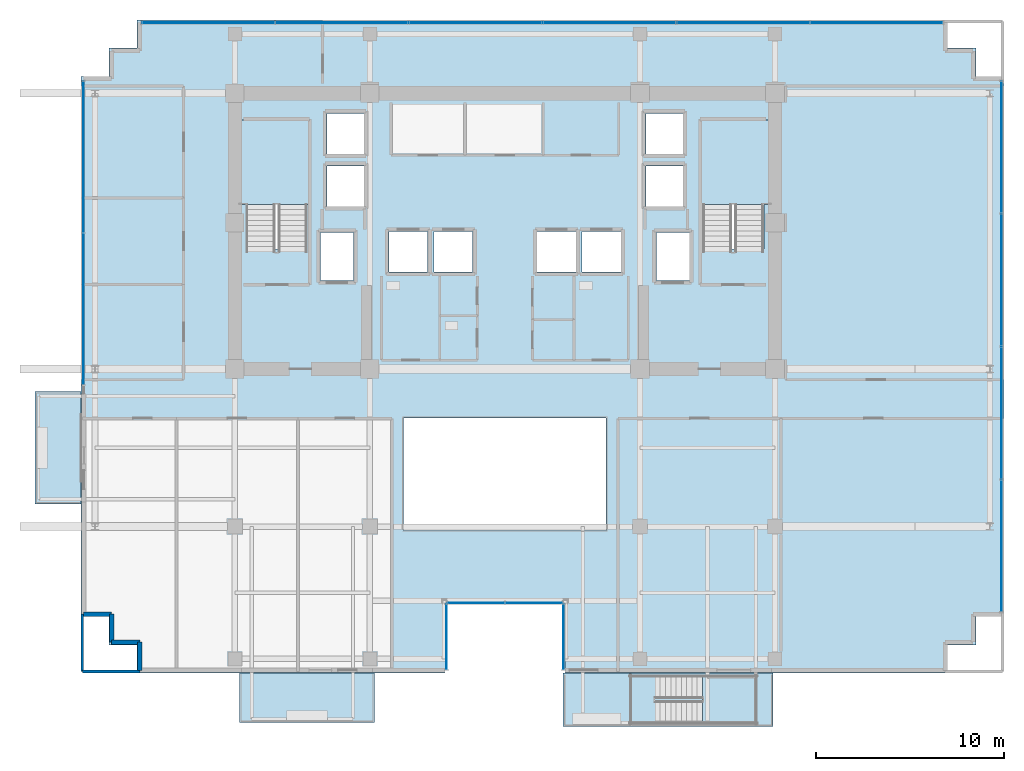
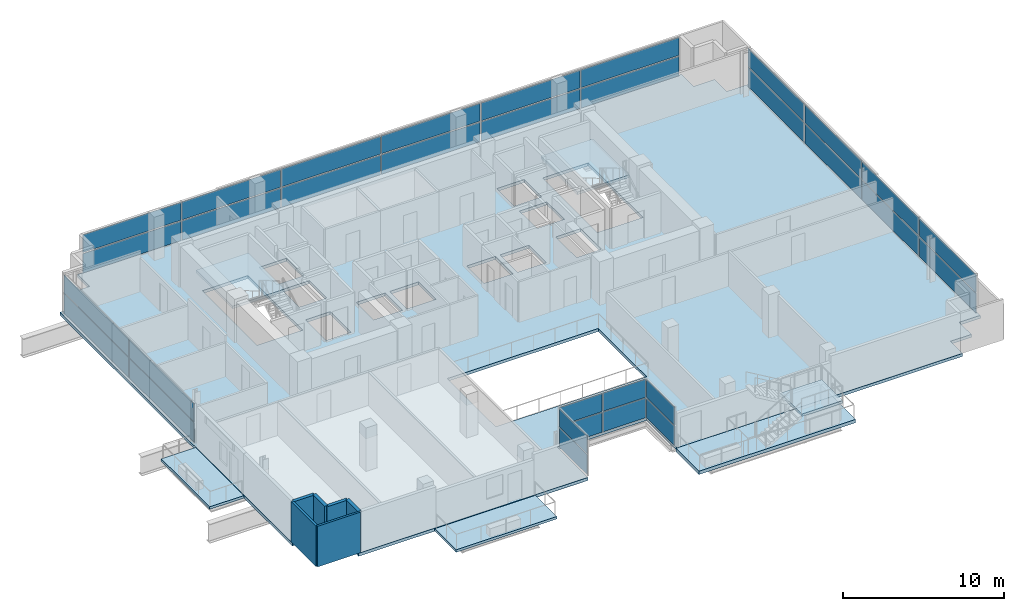
# One storey, part 15 of 23: 32 plates, 7 slabs, 6 walls, 9 elements without a shape of their own.
"""IFC4 building model written with IfcOpenShell, lengths in metres."""

from ifc_helpers import new_model, si_unit, direction, frame, frame_2d, origin, origin_2d, place, context, subcontext, project, spatial, polyline, rectangle, outline, extrude, source, transform, mapped, material, layer, layer_set, type_object, element, aggregate, save


model = new_model("IFC4")

# Units and contexts
model_context = context("Model", 3, precision=1e-05, world=origin(), true_north=direction((0.0, 1.0)))
body_context = subcontext(model_context, "Body", "Model", "MODEL_VIEW")
ifc_project = project(units=[si_unit("LENGTHUNIT", "METRE"), si_unit("AREAUNIT", "SQUARE_METRE"), si_unit("VOLUMEUNIT", "CUBIC_METRE"), si_unit("PLANEANGLEUNIT", "RADIAN"), si_unit("MASSUNIT", "GRAM", prefix="KILO")], contexts=[model_context])

# Site, building, storey
site_placement = place(None, origin())
site = spatial("IfcSite", under=ifc_project, at=site_placement, CompositionType="ELEMENT")
building_placement = place(site_placement, origin())
building = spatial("IfcBuilding", under=site, at=building_placement, Name="Zarnakvel Exchange Tower", CompositionType="ELEMENT")
storey_placement = place(building_placement, frame((0.0, 0.0, 172.60009765625)))
storey = spatial("IfcBuildingStorey", under=building, at=storey_placement, Name="L48", CompositionType="ELEMENT", Elevation=172.60009765625)

# Stair, slab
ifc_material_1 = material(Name="Concrete C40/50", Category="concrete")
stair_type_1 = type_object("IfcStairType", Name="STR-01", PredefinedType="HALF_TURN_STAIR", material=ifc_material_1)
stair_1_placement = place(storey_placement, origin())
stair_1 = element("IfcStair", 1, at=stair_1_placement, inside=storey, type_object=stair_type_1, Name="L48 Protected Core Exit Stair ST-01", PredefinedType="HALF_TURN_STAIR")
ifc_layer_1 = layer(ifc_material_1, 0.199951171875)
ifc_layer_set_1 = layer_set([ifc_layer_1], Name="Concrete C40/50")
slab_type_1 = type_object("IfcSlabType", Name="LDG-01", PredefinedType="LANDING", material=ifc_layer_set_1)
slab_1_placement = place(storey_placement, frame((0.0, 0.0, 1.449951171875)))
slab_1 = element("IfcSlab", 2, at=slab_1_placement, type_object=slab_type_1, Name="ST-01 landing 1", PredefinedType="LANDING", context=body_context, shape_type="SweptSolid", body=[
    extrude(outline(polyline([(-14.18994140625, 7.570068359375), (-10.4599609375, 7.570068359375), (-10.4599609375, 12.080078125), (-14.18994140625, 12.080078125), (-14.18994140625, 7.570068359375)])), origin(), (0.0, 0.0, 1.0), 0.199951171875),
])
aggregate(stair_1, [slab_1])

stair_2_placement = place(storey_placement, origin())
stair_2 = element("IfcStair", 3, at=stair_2_placement, inside=storey, type_object=stair_type_1, Name="L48 Protected Core Exit Stair ST-02", PredefinedType="HALF_TURN_STAIR")
slab_2_placement = place(storey_placement, frame((0.0, 0.0, 1.449951171875)))
slab_2 = element("IfcSlab", 4, at=slab_2_placement, type_object=slab_type_1, Name="ST-02 landing 1", PredefinedType="LANDING", context=body_context, shape_type="SweptSolid", body=[
    extrude(outline(polyline([(10.4599609375, 7.570068359375), (14.18994140625, 7.570068359375), (14.18994140625, 12.080078125), (10.4599609375, 12.080078125), (10.4599609375, 7.570068359375)])), origin(), (0.0, 0.0, 1.0), 0.199951171875),
])
aggregate(stair_2, [slab_2])

stair_type_2 = type_object("IfcStairType", Name="STR-05", PredefinedType="HALF_TURN_STAIR", material=ifc_material_1)
stair_3_placement = place(storey_placement, origin())
stair_3 = element("IfcStair", 5, at=stair_3_placement, inside=storey, type_object=stair_type_2, Name="L48 Spiral Sky-Terrace Connecting Stair ST-12", PredefinedType="HALF_TURN_STAIR")
slab_3_placement = place(storey_placement, frame((0.0, 0.0, 1.449951171875)))
slab_3 = element("IfcSlab", 6, at=slab_3_placement, type_object=slab_type_1, Name="ST-12 landing 1", PredefinedType="LANDING", context=body_context, shape_type="SweptSolid", body=[
    extrude(outline(polyline([(10.52001953125, -20.139892578125), (13.449951171875, -20.139892578125), (13.449951171875, -17.52001953125), (10.52001953125, -17.52001953125), (10.52001953125, -20.139892578125)])), origin(), (0.0, 0.0, 1.0), 0.199951171875),
])
aggregate(stair_3, [slab_3])

# Slabs
ifc_layer_2 = layer(ifc_material_1, 0.22509765625)
ifc_layer_set_2 = layer_set([ifc_layer_2], Name="Concrete C40/50")
slab_type_2 = type_object("IfcSlabType", Name="SL-04", PredefinedType="FLOOR", material=ifc_layer_set_2)
slab_4_placement = place(storey_placement, frame((0.0, 0.0, -0.22509765625)))
element("IfcSlab", 7, at=slab_4_placement, inside=storey, type_object=slab_type_2, Name="L48 Primary Structural Floor Slab", PredefinedType="FLOOR", context=body_context, shape_type="SweptSolid", body=[
    extrude(outline(polyline([(-22.60009765625, -14.39990234375), (-21.10009765625, -14.39990234375), (-21.10009765625, -15.89990234375), (-19.60009765625, -15.89990234375), (-19.60009765625, -17.39990234375), (-3.199951171875, -17.39990234375), (-3.199951171875, -13.60009765625), (3.199951171875, -13.60009765625), (3.199951171875, -17.39990234375), (23.60009765625, -17.39990234375), (23.60009765625, -15.89990234375), (25.10009765625, -15.89990234375), (25.10009765625, -14.39990234375), (26.60009765625, -14.39990234375), (26.60009765625, 14.39990234375), (25.10009765625, 14.39990234375), (25.10009765625, 15.89990234375), (23.60009765625, 15.89990234375), (23.60009765625, 17.39990234375), (-19.60009765625, 17.39990234375), (-19.60009765625, 15.89990234375), (-21.10009765625, 15.89990234375), (-21.10009765625, 14.39990234375), (-22.60009765625, 14.39990234375), (-22.60009765625, -14.39990234375)]), holes=[polyline([(-5.39990234375, -9.800048828125), (5.39990234375, -9.800048828125), (5.39990234375, -3.800048828125), (-5.39990234375, -3.800048828125), (-5.39990234375, -9.800048828125)]), polyline([(-13.800048828125, 5.2099609375), (-10.5400390625, 5.2099609375), (-10.5400390625, 12.0), (-13.800048828125, 12.0), (-13.800048828125, 5.2099609375)]), polyline([(10.5400390625, 5.2099609375), (13.800048828125, 5.2099609375), (13.800048828125, 12.0), (10.5400390625, 12.0), (10.5400390625, 5.2099609375)]), polyline([(-9.830078125, 3.52001953125), (-8.070068359375, 3.52001953125), (-8.070068359375, 6.080078125), (-9.830078125, 6.080078125), (-9.830078125, 3.52001953125)]), polyline([(8.070068359375, 3.52001953125), (9.830078125, 3.52001953125), (9.830078125, 6.080078125), (8.070068359375, 6.080078125), (8.070068359375, 3.52001953125)]), polyline([(-6.179931640625, 3.969970703125), (-4.1201171875, 3.969970703125), (-4.1201171875, 6.1298828125), (-6.179931640625, 6.1298828125), (-6.179931640625, 3.969970703125)]), polyline([(-3.780029296875, 3.969970703125), (-1.719970703125, 3.969970703125), (-1.719970703125, 6.1298828125), (-3.780029296875, 6.1298828125), (-3.780029296875, 3.969970703125)]), polyline([(1.719970703125, 3.969970703125), (3.780029296875, 3.969970703125), (3.780029296875, 6.1298828125), (1.719970703125, 6.1298828125), (1.719970703125, 3.969970703125)]), polyline([(4.1201171875, 3.969970703125), (6.179931640625, 3.969970703125), (6.179931640625, 6.1298828125), (4.1201171875, 6.1298828125), (4.1201171875, 3.969970703125)]), polyline([(-9.47998046875, 7.469970703125), (-7.52001953125, 7.469970703125), (-7.52001953125, 9.6298828125), (-9.47998046875, 9.6298828125), (-9.47998046875, 7.469970703125)]), polyline([(-9.47998046875, 10.27001953125), (-7.52001953125, 10.27001953125), (-7.52001953125, 12.429931640625), (-9.47998046875, 12.429931640625), (-9.47998046875, 10.27001953125)]), polyline([(7.52001953125, 7.469970703125), (9.47998046875, 7.469970703125), (9.47998046875, 9.6298828125), (7.52001953125, 9.6298828125), (7.52001953125, 7.469970703125)]), polyline([(7.52001953125, 10.27001953125), (9.47998046875, 10.27001953125), (9.47998046875, 12.429931640625), (7.52001953125, 12.429931640625), (7.52001953125, 10.27001953125)])]), origin(), (0.0, 0.0, 1.0), 0.22509765625),
])
ifc_layer_3 = layer(ifc_material_1, 0.25)
ifc_layer_set_3 = layer_set([ifc_layer_3], Name="Concrete C40/50")
slab_type_3 = type_object("IfcSlabType", Name="SL-07", PredefinedType="ROOF", material=ifc_layer_set_3)
slab_5_placement = place(storey_placement, frame((0.0, 0.0, -0.25)))
element("IfcSlab", 8, at=slab_5_placement, inside=storey, type_object=slab_type_3, Name="L48 Spiral Sky-Terrace Outdoor Slab (SE)", PredefinedType="ROOF", context=body_context, shape_type="SweptSolid", body=[
    extrude(outline(polyline([(3.10009765625, -20.260009765625), (14.300048828125, -20.260009765625), (14.300048828125, -17.39990234375), (3.10009765625, -17.39990234375), (3.10009765625, -20.260009765625)])), origin(), (0.0, 0.0, 1.0), 0.25),
])
ifc_layer_4 = layer(ifc_material_1, 0.18994140625)
ifc_layer_set_4 = layer_set([ifc_layer_4], Name="Concrete C40/50")
slab_type_4 = type_object("IfcSlabType", Name="SL-08", PredefinedType="USERDEFINED", material=ifc_layer_set_4)
slab_6_placement = place(storey_placement, frame((0.0, 0.0, -0.22509765625)))
element("IfcSlab", 9, at=slab_6_placement, inside=storey, type_object=slab_type_4, Name="L48 Planted Loggia Balcony Slab BAL-L48-SW", ObjectType="BALCONY", PredefinedType="USERDEFINED", context=body_context, shape_type="SweptSolid", body=[
    extrude(outline(polyline([(-14.14990234375, -20.050048828125), (-6.949951171875, -20.050048828125), (-6.949951171875, -17.39990234375), (-14.14990234375, -17.39990234375), (-14.14990234375, -20.050048828125)])), origin(), (0.0, 0.0, 1.0), 0.18994140625),
])
slab_7_placement = place(storey_placement, frame((0.0, 0.0, -0.22509765625)))
element("IfcSlab", 10, at=slab_7_placement, inside=storey, type_object=slab_type_4, Name="L48 Planted Loggia Balcony Slab BAL-L48-W", ObjectType="BALCONY", PredefinedType="USERDEFINED", context=body_context, shape_type="SweptSolid", body=[
    extrude(outline(polyline([(-25.050048828125, -8.39990234375), (-22.60009765625, -8.39990234375), (-22.60009765625, -2.39990234375), (-25.050048828125, -2.39990234375), (-25.050048828125, -8.39990234375)])), origin(), (0.0, 0.0, 1.0), 0.18994140625),
])

# Curtain wall, plate
ifc_material_2 = material(Name="Architectural Bronze Anodised Aluminium", Category="aluminium")
ifc_layer_5 = layer(ifc_material_2, 0.179931640625)
ifc_layer_set_5 = layer_set([ifc_layer_5], Name="Architectural Bronze Anodised Aluminium")
curtain_wall_type_1 = type_object("IfcCurtainWallType", Name="CW-05", PredefinedType="NOTDEFINED", material=ifc_layer_set_5)
curtain_wall_1_placement = place(storey_placement, origin())
curtain_wall_1 = element("IfcCurtainWall", 11, at=curtain_wall_1_placement, inside=storey, type_object=curtain_wall_type_1, Name="L48 Curtain Wall CW-L48-SLW (CW-05)", PredefinedType="NOTDEFINED")
ifc_material_3 = material(Name="Double Low-E Laminated Vision Glass", Category="glass")
ifc_layer_6 = layer(ifc_material_3, 0.02587890625)
ifc_layer_set_6 = layer_set([ifc_layer_6], Name="Double Low-E Laminated Vision Glass")
plate_type_1 = type_object("IfcPlateType", Name="CWP-05", PredefinedType="CURTAIN_PANEL", material=ifc_layer_set_6)
shared_shape_1 = source(origin(), body_context, "Body", "SweptSolid", [
    extrude(rectangle(XDim=3.4599609375, YDim=0.02587890625, at=origin_2d()), origin(), (0.0, 0.0, 1.0), 1.483642578125),
])
plate_1_placement = place(storey_placement, frame((-3.1201171875, -15.47998046875, 0.06982421875), z_axis=(0.0, 0.0, 1.0), x_axis=(0.0, 1.0, 0.0)))
plate_1 = element("IfcPlate", 12, at=plate_1_placement, type_object=plate_type_1, Name="CW-05 panel 1.1", PredefinedType="CURTAIN_PANEL", context=body_context, shape_type="MappedRepresentation", body=[
    mapped(shared_shape_1, transform((0.0, 0.0, 0.0), x_axis=(1.0, 0.0, 0.0), y_axis=(0.0, 1.0, 0.0), z_axis=(0.0, 0.0, 1.0), scale=1.0)),
])

curtain_wall_2_placement = place(storey_placement, origin())
curtain_wall_2 = element("IfcCurtainWall", 13, at=curtain_wall_2_placement, inside=storey, type_object=curtain_wall_type_1, Name="L48 Curtain Wall CW-L48-SLE (CW-05)", PredefinedType="NOTDEFINED")
plate_2_placement = place(storey_placement, frame((3.1201171875, -15.47998046875, 0.06982421875), z_axis=(0.0, 0.0, 1.0), x_axis=(0.0, -1.0, 0.0)))
plate_2 = element("IfcPlate", 14, at=plate_2_placement, type_object=plate_type_1, Name="CW-05 panel 1.1", PredefinedType="CURTAIN_PANEL", context=body_context, shape_type="MappedRepresentation", body=[
    mapped(shared_shape_1, transform((0.0, 0.0, 0.0), x_axis=(1.0, 0.0, 0.0), y_axis=(0.0, 1.0, 0.0), z_axis=(0.0, 0.0, 1.0), scale=1.0)),
])

# Plate
shared_shape_2 = source(origin(), body_context, "Body", "SweptSolid", [
    extrude(rectangle(XDim=3.4599609375, YDim=0.02587890625, at=origin_2d()), origin(), (0.0, 0.0, 1.0), 1.361328125),
])
plate_3_placement = place(storey_placement, frame((-3.1201171875, -15.47998046875, 1.62353515625), z_axis=(0.0, 0.0, 1.0), x_axis=(0.0, 1.0, 0.0)))
plate_3 = element("IfcPlate", 15, at=plate_3_placement, type_object=plate_type_1, Name="CW-05 panel 1.2", PredefinedType="CURTAIN_PANEL", context=body_context, shape_type="MappedRepresentation", body=[
    mapped(shared_shape_2, transform((0.0, 0.0, 0.0), x_axis=(1.0, 0.0, 0.0), y_axis=(0.0, 1.0, 0.0), z_axis=(0.0, 0.0, 1.0), scale=1.0)),
])

aggregate(curtain_wall_1, [plate_1, plate_3])

plate_4_placement = place(storey_placement, frame((3.1201171875, -15.47998046875, 1.62353515625), z_axis=(0.0, 0.0, 1.0), x_axis=(0.0, -1.0, 0.0)))
plate_4 = element("IfcPlate", 16, at=plate_4_placement, type_object=plate_type_1, Name="CW-05 panel 1.2", PredefinedType="CURTAIN_PANEL", context=body_context, shape_type="MappedRepresentation", body=[
    mapped(shared_shape_2, transform((0.0, 0.0, 0.0), x_axis=(1.0, 0.0, 0.0), y_axis=(0.0, 1.0, 0.0), z_axis=(0.0, 0.0, 1.0), scale=1.0)),
])

aggregate(curtain_wall_2, [plate_2, plate_4])

# Curtain wall, plates
curtain_wall_3_placement = place(storey_placement, origin())
curtain_wall_3 = element("IfcCurtainWall", 17, at=curtain_wall_3_placement, inside=storey, type_object=curtain_wall_type_1, Name="L48 Curtain Wall CW-L48-SLB (CW-05)", PredefinedType="NOTDEFINED")
shared_shape_3 = source(origin(), body_context, "Body", "SweptSolid", [
    extrude(rectangle(XDim=3.014892578125, YDim=0.02587890625, at=origin_2d()), origin(), (0.0, 0.0, 1.0), 1.483642578125),
])
plate_5_placement = place(storey_placement, frame((-1.54248046875, -13.679931640625, 0.06982421875), z_axis=(0.0, 0.0, 1.0), x_axis=(1.0, 0.0, 0.0)))
plate_5 = element("IfcPlate", 18, at=plate_5_placement, type_object=plate_type_1, Name="CW-05 panel 1.1", PredefinedType="CURTAIN_PANEL", context=body_context, shape_type="MappedRepresentation", body=[
    mapped(shared_shape_3, transform((0.0, 0.0, 0.0), x_axis=(1.0, 0.0, 0.0), y_axis=(0.0, 1.0, 0.0), z_axis=(0.0, 0.0, 1.0), scale=1.0)),
])
plate_6_placement = place(storey_placement, frame((1.54248046875, -13.679931640625, 0.06982421875), z_axis=(0.0, 0.0, 1.0), x_axis=(1.0, 0.0, 0.0)))
plate_6 = element("IfcPlate", 19, at=plate_6_placement, type_object=plate_type_1, Name="CW-05 panel 2.1", PredefinedType="CURTAIN_PANEL", context=body_context, shape_type="MappedRepresentation", body=[
    mapped(shared_shape_3, transform((0.0, 0.0, 0.0), x_axis=(1.0, 0.0, 0.0), y_axis=(0.0, 1.0, 0.0), z_axis=(0.0, 0.0, 1.0), scale=1.0)),
])
shared_shape_4 = source(origin(), body_context, "Body", "SweptSolid", [
    extrude(rectangle(XDim=3.014892578125, YDim=0.02587890625, at=origin_2d()), origin(), (0.0, 0.0, 1.0), 1.361328125),
])
plate_7_placement = place(storey_placement, frame((-1.54248046875, -13.679931640625, 1.62353515625), z_axis=(0.0, 0.0, 1.0), x_axis=(1.0, 0.0, 0.0)))
plate_7 = element("IfcPlate", 20, at=plate_7_placement, type_object=plate_type_1, Name="CW-05 panel 1.2", PredefinedType="CURTAIN_PANEL", context=body_context, shape_type="MappedRepresentation", body=[
    mapped(shared_shape_4, transform((0.0, 0.0, 0.0), x_axis=(1.0, 0.0, 0.0), y_axis=(0.0, 1.0, 0.0), z_axis=(0.0, 0.0, 1.0), scale=1.0)),
])
plate_8_placement = place(storey_placement, frame((1.54248046875, -13.679931640625, 1.62353515625), z_axis=(0.0, 0.0, 1.0), x_axis=(1.0, 0.0, 0.0)))
plate_8 = element("IfcPlate", 21, at=plate_8_placement, type_object=plate_type_1, Name="CW-05 panel 2.2", PredefinedType="CURTAIN_PANEL", context=body_context, shape_type="MappedRepresentation", body=[
    mapped(shared_shape_4, transform((0.0, 0.0, 0.0), x_axis=(1.0, 0.0, 0.0), y_axis=(0.0, 1.0, 0.0), z_axis=(0.0, 0.0, 1.0), scale=1.0)),
])
aggregate(curtain_wall_3, [plate_5, plate_7, plate_6, plate_8])

ifc_layer_7 = layer(ifc_material_2, 0.219970703125)
ifc_layer_set_7 = layer_set([ifc_layer_7], Name="Architectural Bronze Anodised Aluminium")
curtain_wall_type_2 = type_object("IfcCurtainWallType", Name="CW-03", PredefinedType="NOTDEFINED", material=ifc_layer_set_7)
curtain_wall_4_placement = place(storey_placement, origin())
curtain_wall_4 = element("IfcCurtainWall", 22, at=curtain_wall_4_placement, inside=storey, type_object=curtain_wall_type_2, Name="L48 Curtain Wall CW-L48-N1 (CW-03)", PredefinedType="NOTDEFINED")
ifc_layer_8 = layer(ifc_material_3, 0.030029296875)
ifc_layer_set_8 = layer_set([ifc_layer_8], Name="Double Low-E Laminated Vision Glass")
plate_type_2 = type_object("IfcPlateType", Name="CWP-03", PredefinedType="CURTAIN_PANEL", material=ifc_layer_set_8)
shared_shape_5 = source(origin(), body_context, "Body", "SweptSolid", [
    extrude(rectangle(XDim=7.013427734375, YDim=0.030029296875, at=origin_2d()), origin(), (0.0, 0.0, 1.0), 1.468505859375),
])
plate_9_placement = place(storey_placement, frame((-15.813232421875, 17.260009765625, 0.080078125), z_axis=(0.0, 0.0, 1.0), x_axis=(1.0, 0.0, 0.0)))
plate_9 = element("IfcPlate", 23, at=plate_9_placement, type_object=plate_type_2, Name="CW-03 panel 1.1", PredefinedType="CURTAIN_PANEL", context=body_context, shape_type="MappedRepresentation", body=[
    mapped(shared_shape_5, transform((0.0, 0.0, 0.0), x_axis=(1.0, 0.0, 0.0), y_axis=(0.0, 1.0, 0.0), z_axis=(0.0, 0.0, 1.0), scale=1.0)),
])
plate_10_placement = place(storey_placement, frame((19.813232421875, 17.260009765625, 0.080078125), z_axis=(0.0, 0.0, 1.0), x_axis=(1.0, 0.0, 0.0)))
plate_10 = element("IfcPlate", 24, at=plate_10_placement, type_object=plate_type_2, Name="CW-03 panel 6.1", PredefinedType="CURTAIN_PANEL", context=body_context, shape_type="MappedRepresentation", body=[
    mapped(shared_shape_5, transform((0.0, 0.0, 0.0), x_axis=(1.0, 0.0, 0.0), y_axis=(0.0, 1.0, 0.0), z_axis=(0.0, 0.0, 1.0), scale=1.0)),
])
shared_shape_6 = source(origin(), body_context, "Body", "SweptSolid", [
    extrude(rectangle(XDim=7.013427734375, YDim=0.030029296875, at=origin_2d()), origin(), (0.0, 0.0, 1.0), 1.346435546875),
])
plate_11_placement = place(storey_placement, frame((-15.813232421875, 17.260009765625, 1.62841796875), z_axis=(0.0, 0.0, 1.0), x_axis=(1.0, 0.0, 0.0)))
plate_11 = element("IfcPlate", 25, at=plate_11_placement, type_object=plate_type_2, Name="CW-03 panel 1.2", PredefinedType="CURTAIN_PANEL", context=body_context, shape_type="MappedRepresentation", body=[
    mapped(shared_shape_6, transform((0.0, 0.0, 0.0), x_axis=(1.0, 0.0, 0.0), y_axis=(0.0, 1.0, 0.0), z_axis=(0.0, 0.0, 1.0), scale=1.0)),
])
plate_12_placement = place(storey_placement, frame((19.813232421875, 17.260009765625, 1.62841796875), z_axis=(0.0, 0.0, 1.0), x_axis=(1.0, 0.0, 0.0)))
plate_12 = element("IfcPlate", 26, at=plate_12_placement, type_object=plate_type_2, Name="CW-03 panel 6.2", PredefinedType="CURTAIN_PANEL", context=body_context, shape_type="MappedRepresentation", body=[
    mapped(shared_shape_6, transform((0.0, 0.0, 0.0), x_axis=(1.0, 0.0, 0.0), y_axis=(0.0, 1.0, 0.0), z_axis=(0.0, 0.0, 1.0), scale=1.0)),
])
shared_shape_7 = source(origin(), body_context, "Body", "SweptSolid", [
    extrude(rectangle(XDim=7.05322265625, YDim=0.030029296875, at=origin_2d()), origin(), (0.0, 0.0, 1.0), 1.468505859375),
])
plate_13_placement = place(storey_placement, frame((-8.699951171875, 17.260009765625, 0.080078125), z_axis=(0.0, 0.0, 1.0), x_axis=(1.0, 0.0, 0.0)))
plate_13 = element("IfcPlate", 27, at=plate_13_placement, type_object=plate_type_2, Name="CW-03 panel 2.1", PredefinedType="CURTAIN_PANEL", context=body_context, shape_type="MappedRepresentation", body=[
    mapped(shared_shape_7, transform((0.0, 0.0, 0.0), x_axis=(1.0, 0.0, 0.0), y_axis=(0.0, 1.0, 0.0), z_axis=(0.0, 0.0, 1.0), scale=1.0)),
])
plate_14_placement = place(storey_placement, frame((-1.566650390625, 17.260009765625, 0.080078125), z_axis=(0.0, 0.0, 1.0), x_axis=(1.0, 0.0, 0.0)))
plate_14 = element("IfcPlate", 28, at=plate_14_placement, type_object=plate_type_2, Name="CW-03 panel 3.1", PredefinedType="CURTAIN_PANEL", context=body_context, shape_type="MappedRepresentation", body=[
    mapped(shared_shape_7, transform((0.0, 0.0, 0.0), x_axis=(1.0, 0.0, 0.0), y_axis=(0.0, 1.0, 0.0), z_axis=(0.0, 0.0, 1.0), scale=1.0)),
])
plate_15_placement = place(storey_placement, frame((5.566650390625, 17.260009765625, 0.080078125), z_axis=(0.0, 0.0, 1.0), x_axis=(1.0, 0.0, 0.0)))
plate_15 = element("IfcPlate", 29, at=plate_15_placement, type_object=plate_type_2, Name="CW-03 panel 4.1", PredefinedType="CURTAIN_PANEL", context=body_context, shape_type="MappedRepresentation", body=[
    mapped(shared_shape_7, transform((0.0, 0.0, 0.0), x_axis=(1.0, 0.0, 0.0), y_axis=(0.0, 1.0, 0.0), z_axis=(0.0, 0.0, 1.0), scale=1.0)),
])
plate_16_placement = place(storey_placement, frame((12.699951171875, 17.260009765625, 0.080078125), z_axis=(0.0, 0.0, 1.0), x_axis=(1.0, 0.0, 0.0)))
plate_16 = element("IfcPlate", 30, at=plate_16_placement, type_object=plate_type_2, Name="CW-03 panel 5.1", PredefinedType="CURTAIN_PANEL", context=body_context, shape_type="MappedRepresentation", body=[
    mapped(shared_shape_7, transform((0.0, 0.0, 0.0), x_axis=(1.0, 0.0, 0.0), y_axis=(0.0, 1.0, 0.0), z_axis=(0.0, 0.0, 1.0), scale=1.0)),
])
shared_shape_8 = source(origin(), body_context, "Body", "SweptSolid", [
    extrude(rectangle(XDim=7.05322265625, YDim=0.030029296875, at=origin_2d()), origin(), (0.0, 0.0, 1.0), 1.346435546875),
])
plate_17_placement = place(storey_placement, frame((-8.699951171875, 17.260009765625, 1.62841796875), z_axis=(0.0, 0.0, 1.0), x_axis=(1.0, 0.0, 0.0)))
plate_17 = element("IfcPlate", 31, at=plate_17_placement, type_object=plate_type_2, Name="CW-03 panel 2.2", PredefinedType="CURTAIN_PANEL", context=body_context, shape_type="MappedRepresentation", body=[
    mapped(shared_shape_8, transform((0.0, 0.0, 0.0), x_axis=(1.0, 0.0, 0.0), y_axis=(0.0, 1.0, 0.0), z_axis=(0.0, 0.0, 1.0), scale=1.0)),
])
plate_18_placement = place(storey_placement, frame((-1.566650390625, 17.260009765625, 1.62841796875), z_axis=(0.0, 0.0, 1.0), x_axis=(1.0, 0.0, 0.0)))
plate_18 = element("IfcPlate", 32, at=plate_18_placement, type_object=plate_type_2, Name="CW-03 panel 3.2", PredefinedType="CURTAIN_PANEL", context=body_context, shape_type="MappedRepresentation", body=[
    mapped(shared_shape_8, transform((0.0, 0.0, 0.0), x_axis=(1.0, 0.0, 0.0), y_axis=(0.0, 1.0, 0.0), z_axis=(0.0, 0.0, 1.0), scale=1.0)),
])
plate_19_placement = place(storey_placement, frame((5.566650390625, 17.260009765625, 1.62841796875), z_axis=(0.0, 0.0, 1.0), x_axis=(1.0, 0.0, 0.0)))
plate_19 = element("IfcPlate", 33, at=plate_19_placement, type_object=plate_type_2, Name="CW-03 panel 4.2", PredefinedType="CURTAIN_PANEL", context=body_context, shape_type="MappedRepresentation", body=[
    mapped(shared_shape_8, transform((0.0, 0.0, 0.0), x_axis=(1.0, 0.0, 0.0), y_axis=(0.0, 1.0, 0.0), z_axis=(0.0, 0.0, 1.0), scale=1.0)),
])
plate_20_placement = place(storey_placement, frame((12.699951171875, 17.260009765625, 1.62841796875), z_axis=(0.0, 0.0, 1.0), x_axis=(1.0, 0.0, 0.0)))
plate_20 = element("IfcPlate", 34, at=plate_20_placement, type_object=plate_type_2, Name="CW-03 panel 5.2", PredefinedType="CURTAIN_PANEL", context=body_context, shape_type="MappedRepresentation", body=[
    mapped(shared_shape_8, transform((0.0, 0.0, 0.0), x_axis=(1.0, 0.0, 0.0), y_axis=(0.0, 1.0, 0.0), z_axis=(0.0, 0.0, 1.0), scale=1.0)),
])
aggregate(curtain_wall_4, [plate_9, plate_11, plate_13, plate_17, plate_14, plate_18, plate_15, plate_19, plate_16, plate_20, plate_10, plate_12])

ifc_layer_9 = layer(ifc_material_2, 0.199951171875)
ifc_layer_set_9 = layer_set([ifc_layer_9], Name="Architectural Bronze Anodised Aluminium")
curtain_wall_type_3 = type_object("IfcCurtainWallType", Name="CW-04", PredefinedType="NOTDEFINED", material=ifc_layer_set_9)
curtain_wall_5_placement = place(storey_placement, origin())
curtain_wall_5 = element("IfcCurtainWall", 35, at=curtain_wall_5_placement, inside=storey, type_object=curtain_wall_type_3, Name="L48 Curtain Wall CW-L48-WN (CW-04)", PredefinedType="NOTDEFINED")
ifc_layer_10 = layer(ifc_material_3, 0.028076171875)
ifc_layer_set_10 = layer_set([ifc_layer_10], Name="Double Low-E Laminated Vision Glass")
plate_type_3 = type_object("IfcPlateType", Name="CWP-04", PredefinedType="CURTAIN_PANEL", material=ifc_layer_set_10)
shared_shape_9 = source(origin(), body_context, "Body", "SweptSolid", [
    extrude(rectangle(XDim=8.03759765625, YDim=0.028076171875, at=origin_2d()), origin(), (0.0, 0.0, 1.0), 1.47607421875),
])
plate_21_placement = place(storey_placement, frame((-22.4599609375, 1.99365234375, 0.074951171875), z_axis=(0.0, 0.0, 1.0), x_axis=(0.0, 1.0, 0.0)))
plate_21 = element("IfcPlate", 36, at=plate_21_placement, type_object=plate_type_3, Name="CW-04 panel 1.1", PredefinedType="CURTAIN_PANEL", context=body_context, shape_type="MappedRepresentation", body=[
    mapped(shared_shape_9, transform((0.0, 0.0, 0.0), x_axis=(1.0, 0.0, 0.0), y_axis=(0.0, 1.0, 0.0), z_axis=(0.0, 0.0, 1.0), scale=1.0)),
])
plate_22_placement = place(storey_placement, frame((-22.4599609375, 10.106201171875, 0.074951171875), z_axis=(0.0, 0.0, 1.0), x_axis=(0.0, 1.0, 0.0)))
plate_22 = element("IfcPlate", 37, at=plate_22_placement, type_object=plate_type_3, Name="CW-04 panel 2.1", PredefinedType="CURTAIN_PANEL", context=body_context, shape_type="MappedRepresentation", body=[
    mapped(shared_shape_9, transform((0.0, 0.0, 0.0), x_axis=(1.0, 0.0, 0.0), y_axis=(0.0, 1.0, 0.0), z_axis=(0.0, 0.0, 1.0), scale=1.0)),
])
shared_shape_10 = source(origin(), body_context, "Body", "SweptSolid", [
    extrude(rectangle(XDim=8.03759765625, YDim=0.028076171875, at=origin_2d()), origin(), (0.0, 0.0, 1.0), 1.35400390625),
])
plate_23_placement = place(storey_placement, frame((-22.4599609375, 1.99365234375, 1.6259765625), z_axis=(0.0, 0.0, 1.0), x_axis=(0.0, 1.0, 0.0)))
plate_23 = element("IfcPlate", 38, at=plate_23_placement, type_object=plate_type_3, Name="CW-04 panel 1.2", PredefinedType="CURTAIN_PANEL", context=body_context, shape_type="MappedRepresentation", body=[
    mapped(shared_shape_10, transform((0.0, 0.0, 0.0), x_axis=(1.0, 0.0, 0.0), y_axis=(0.0, 1.0, 0.0), z_axis=(0.0, 0.0, 1.0), scale=1.0)),
])
plate_24_placement = place(storey_placement, frame((-22.4599609375, 10.106201171875, 1.6259765625), z_axis=(0.0, 0.0, 1.0), x_axis=(0.0, 1.0, 0.0)))
plate_24 = element("IfcPlate", 39, at=plate_24_placement, type_object=plate_type_3, Name="CW-04 panel 2.2", PredefinedType="CURTAIN_PANEL", context=body_context, shape_type="MappedRepresentation", body=[
    mapped(shared_shape_10, transform((0.0, 0.0, 0.0), x_axis=(1.0, 0.0, 0.0), y_axis=(0.0, 1.0, 0.0), z_axis=(0.0, 0.0, 1.0), scale=1.0)),
])
aggregate(curtain_wall_5, [plate_21, plate_23, plate_22, plate_24])

curtain_wall_6_placement = place(storey_placement, origin())
curtain_wall_6 = element("IfcCurtainWall", 40, at=curtain_wall_6_placement, inside=storey, type_object=curtain_wall_type_3, Name="L48 Curtain Wall CW-L48-E1 (CW-04)", PredefinedType="NOTDEFINED")
shared_shape_11 = source(origin(), body_context, "Body", "SweptSolid", [
    extrude(rectangle(XDim=6.987548828125, YDim=0.028076171875, at=origin_2d()), origin(), (0.0, 0.0, 1.0), 1.47607421875),
])
plate_25_placement = place(storey_placement, frame((26.4599609375, -10.63134765625, 0.074951171875), z_axis=(0.0, 0.0, 1.0), x_axis=(0.0, 1.0, 0.0)))
plate_25 = element("IfcPlate", 41, at=plate_25_placement, type_object=plate_type_3, Name="CW-04 panel 1.1", PredefinedType="CURTAIN_PANEL", context=body_context, shape_type="MappedRepresentation", body=[
    mapped(shared_shape_11, transform((0.0, 0.0, 0.0), x_axis=(1.0, 0.0, 0.0), y_axis=(0.0, 1.0, 0.0), z_axis=(0.0, 0.0, 1.0), scale=1.0)),
])
plate_26_placement = place(storey_placement, frame((26.4599609375, 10.63134765625, 0.074951171875), z_axis=(0.0, 0.0, 1.0), x_axis=(0.0, 1.0, 0.0)))
plate_26 = element("IfcPlate", 42, at=plate_26_placement, type_object=plate_type_3, Name="CW-04 panel 4.1", PredefinedType="CURTAIN_PANEL", context=body_context, shape_type="MappedRepresentation", body=[
    mapped(shared_shape_11, transform((0.0, 0.0, 0.0), x_axis=(1.0, 0.0, 0.0), y_axis=(0.0, 1.0, 0.0), z_axis=(0.0, 0.0, 1.0), scale=1.0)),
])
shared_shape_12 = source(origin(), body_context, "Body", "SweptSolid", [
    extrude(rectangle(XDim=6.987548828125, YDim=0.028076171875, at=origin_2d()), origin(), (0.0, 0.0, 1.0), 1.35400390625),
])
plate_27_placement = place(storey_placement, frame((26.4599609375, -10.63134765625, 1.6259765625), z_axis=(0.0, 0.0, 1.0), x_axis=(0.0, 1.0, 0.0)))
plate_27 = element("IfcPlate", 43, at=plate_27_placement, type_object=plate_type_3, Name="CW-04 panel 1.2", PredefinedType="CURTAIN_PANEL", context=body_context, shape_type="MappedRepresentation", body=[
    mapped(shared_shape_12, transform((0.0, 0.0, 0.0), x_axis=(1.0, 0.0, 0.0), y_axis=(0.0, 1.0, 0.0), z_axis=(0.0, 0.0, 1.0), scale=1.0)),
])
plate_28_placement = place(storey_placement, frame((26.4599609375, 10.63134765625, 1.6259765625), z_axis=(0.0, 0.0, 1.0), x_axis=(0.0, 1.0, 0.0)))
plate_28 = element("IfcPlate", 44, at=plate_28_placement, type_object=plate_type_3, Name="CW-04 panel 4.2", PredefinedType="CURTAIN_PANEL", context=body_context, shape_type="MappedRepresentation", body=[
    mapped(shared_shape_12, transform((0.0, 0.0, 0.0), x_axis=(1.0, 0.0, 0.0), y_axis=(0.0, 1.0, 0.0), z_axis=(0.0, 0.0, 1.0), scale=1.0)),
])
shared_shape_13 = source(origin(), body_context, "Body", "SweptSolid", [
    extrude(rectangle(XDim=7.02490234375, YDim=0.028076171875, at=origin_2d()), origin(), (0.0, 0.0, 1.0), 1.47607421875),
])
plate_29_placement = place(storey_placement, frame((26.4599609375, -3.550048828125, 0.074951171875), z_axis=(0.0, 0.0, 1.0), x_axis=(0.0, 1.0, 0.0)))
plate_29 = element("IfcPlate", 45, at=plate_29_placement, type_object=plate_type_3, Name="CW-04 panel 2.1", PredefinedType="CURTAIN_PANEL", context=body_context, shape_type="MappedRepresentation", body=[
    mapped(shared_shape_13, transform((0.0, 0.0, 0.0), x_axis=(1.0, 0.0, 0.0), y_axis=(0.0, 1.0, 0.0), z_axis=(0.0, 0.0, 1.0), scale=1.0)),
])
plate_30_placement = place(storey_placement, frame((26.4599609375, 3.550048828125, 0.074951171875), z_axis=(0.0, 0.0, 1.0), x_axis=(0.0, 1.0, 0.0)))
plate_30 = element("IfcPlate", 46, at=plate_30_placement, type_object=plate_type_3, Name="CW-04 panel 3.1", PredefinedType="CURTAIN_PANEL", context=body_context, shape_type="MappedRepresentation", body=[
    mapped(shared_shape_13, transform((0.0, 0.0, 0.0), x_axis=(1.0, 0.0, 0.0), y_axis=(0.0, 1.0, 0.0), z_axis=(0.0, 0.0, 1.0), scale=1.0)),
])
shared_shape_14 = source(origin(), body_context, "Body", "SweptSolid", [
    extrude(rectangle(XDim=7.02490234375, YDim=0.028076171875, at=origin_2d()), origin(), (0.0, 0.0, 1.0), 1.35400390625),
])
plate_31_placement = place(storey_placement, frame((26.4599609375, -3.550048828125, 1.6259765625), z_axis=(0.0, 0.0, 1.0), x_axis=(0.0, 1.0, 0.0)))
plate_31 = element("IfcPlate", 47, at=plate_31_placement, type_object=plate_type_3, Name="CW-04 panel 2.2", PredefinedType="CURTAIN_PANEL", context=body_context, shape_type="MappedRepresentation", body=[
    mapped(shared_shape_14, transform((0.0, 0.0, 0.0), x_axis=(1.0, 0.0, 0.0), y_axis=(0.0, 1.0, 0.0), z_axis=(0.0, 0.0, 1.0), scale=1.0)),
])
plate_32_placement = place(storey_placement, frame((26.4599609375, 3.550048828125, 1.6259765625), z_axis=(0.0, 0.0, 1.0), x_axis=(0.0, 1.0, 0.0)))
plate_32 = element("IfcPlate", 48, at=plate_32_placement, type_object=plate_type_3, Name="CW-04 panel 3.2", PredefinedType="CURTAIN_PANEL", context=body_context, shape_type="MappedRepresentation", body=[
    mapped(shared_shape_14, transform((0.0, 0.0, 0.0), x_axis=(1.0, 0.0, 0.0), y_axis=(0.0, 1.0, 0.0), z_axis=(0.0, 0.0, 1.0), scale=1.0)),
])
aggregate(curtain_wall_6, [plate_25, plate_27, plate_29, plate_31, plate_30, plate_32, plate_26, plate_28])

# Walls
ifc_material_4 = material(Name="Precast concrete C40/50", Category="concrete")
ifc_layer_11 = layer(ifc_material_4, 0.239990234375)
ifc_layer_set_11 = layer_set([ifc_layer_11], Name="Precast concrete C40/50")
wall_type_1 = type_object("IfcWallType", Name="EW-02", PredefinedType="SOLIDWALL", material=ifc_layer_set_11)
for number, where, z_axis, x_axis, name in (
    (49, (-19.4599609375, -15.760009765625, 0.0), (0.0, 0.0, 1.0), (0.0, -1.0, 0.0), "L48 Exterior Precast Spandrel Wall EWC-L48-22 (EW-02)"),
    (50, (-20.9599609375, -15.760009765625, 0.0), (0.0, 0.0, 1.0), (1.0, 0.0, 0.0), "L48 Exterior Precast Spandrel Wall EWC-L48-23 (EW-02)"),
    (51, (-20.9599609375, -14.260009765625, 0.0), (0.0, 0.0, 1.0), (0.0, -1.0, 0.0), "L48 Exterior Precast Spandrel Wall EWC-L48-24 (EW-02)"),
    (52, (-22.4599609375, -14.260009765625, 0.0), (0.0, 0.0, 1.0), (1.0, 0.0, 0.0), "L48 Exterior Precast Spandrel Wall EWC-L48-25 (EW-02)"),
):
    element("IfcWall", number, at=place(storey_placement, frame(where, z_axis=z_axis, x_axis=x_axis)), inside=storey, type_object=wall_type_1, Name=name, PredefinedType="SOLIDWALL", context=body_context, shape_type="SweptSolid", body=[
        extrude(rectangle(XDim=1.5, YDim=0.239990234375, at=frame_2d((0.75, 0.0))), origin(), (0.0, 0.0, 1.0), 3.074951171875),
    ])
ifc_material_5 = material(Name="Fire-Rated Gypsum Stud Partition", Category="gypsum")
ifc_layer_12 = layer(ifc_material_5, 0.14990234375)
ifc_layer_set_12 = layer_set([ifc_layer_12], Name="Fire-Rated Gypsum Stud Partition")
wall_type_2 = type_object("IfcWallType", Name="PT-01", PredefinedType="PARTITIONING", material=ifc_layer_set_12)
for number, where, z_axis, x_axis, name in (
    (53, (-19.4599609375, -17.330078125, 0.0), (0.0, 0.0, 1.0), (-1.0, 0.0, 0.0), "L48 Partition Wall PWALL-L48-033 (PT-01)"),
    (54, (-22.530029296875, -17.330078125, 0.0), (0.0, 0.0, 1.0), (0.0, 1.0, 0.0), "L48 Partition Wall PWALL-L48-035 (PT-01)"),
):
    element("IfcWall", number, at=place(storey_placement, frame(where, z_axis=z_axis, x_axis=x_axis)), inside=storey, type_object=wall_type_2, Name=name, PredefinedType="PARTITIONING", context=body_context, shape_type="SweptSolid", body=[
        extrude(rectangle(XDim=3.070068359375, YDim=0.14990234375, at=frame_2d((1.53515625, 0.0))), origin(), (0.0, 0.0, 1.0), 3.074951171875),
    ])

save(model, "model.ifc")
